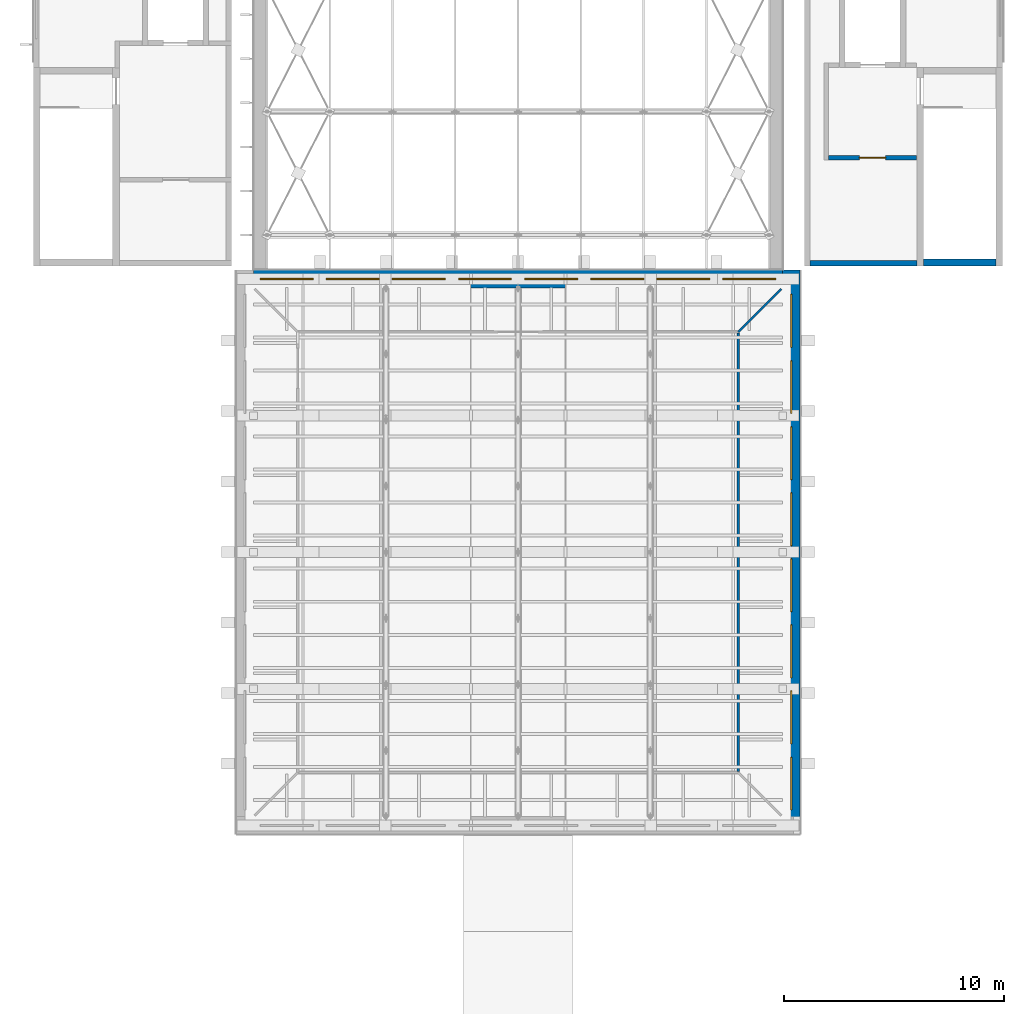
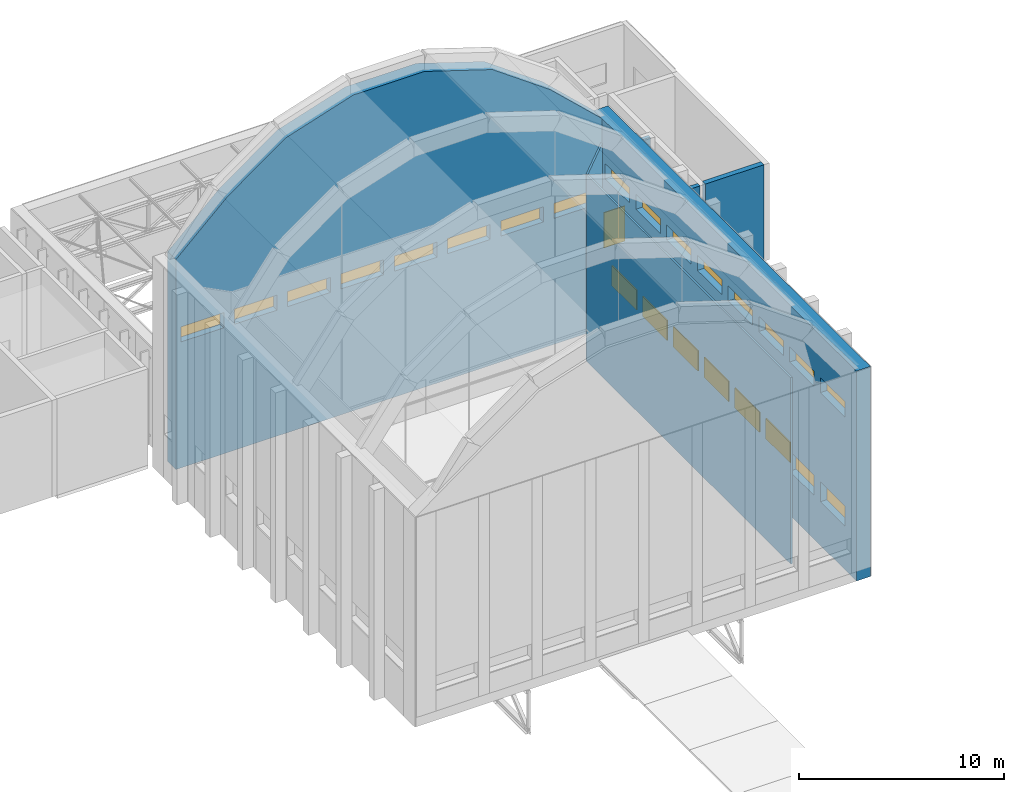
# One storey, part 46 of 55: 24 windows, 7 walls, 1 door, 25 openings.
"""IFC4 building model written with IfcOpenShell, lengths in metres."""

from ifc_helpers import new_model, si_unit, direction, frame, frame_2d, origin, place, context, subcontext, project, spatial, polyline, rectangle, outline, extrude, material, layer, layer_set, type_object, element, fill, save


model = new_model("IFC4")

# Units and contexts
model_context = context("Model", 3, precision=1e-05, world=origin(), true_north=direction((0.0, 1.0)))
body_context = subcontext(model_context, "Body", "Model", "MODEL_VIEW")
ifc_project = project(units=[si_unit("LENGTHUNIT", "METRE"), si_unit("AREAUNIT", "SQUARE_METRE"), si_unit("VOLUMEUNIT", "CUBIC_METRE"), si_unit("PLANEANGLEUNIT", "RADIAN"), si_unit("MASSUNIT", "GRAM", prefix="KILO")], contexts=[model_context])

# Site, building, storey
site_placement = place(None, origin())
site = spatial("IfcSite", under=ifc_project, at=site_placement, CompositionType="ELEMENT")
building_placement = place(site_placement, origin())
building = spatial("IfcBuilding", under=site, at=building_placement, Name="Lunette Opera House", CompositionType="ELEMENT")
storey_placement = place(building_placement, frame((0.0, 0.0, 34.0)))
storey = spatial("IfcBuildingStorey", under=building, at=storey_placement, Name="L06", CompositionType="ELEMENT", Elevation=34.0)

# Wall, opening, door
ifc_material_1 = material(Name="Concrete C35/45", Category="concrete")
ifc_layer_1 = layer(ifc_material_1, 0.199951171875)
ifc_layer_set_1 = layer_set([ifc_layer_1], Name="Concrete C35/45")
wall_type_1 = type_object("IfcWallType", Name="LOBBY WALL 200", PredefinedType="PARTITIONING", material=ifc_layer_set_1)
wall_1_placement = place(storey_placement, frame((110.10009765625, 125.89990234375, 0.0), z_axis=(0.0, 0.0, 1.0), x_axis=(1.0, 0.0, 0.0)))
wall_1 = element("IfcWall", 1, at=wall_1_placement, inside=storey, type_object=wall_type_1, Name="FL3 lobby wall 4a", PredefinedType="PARTITIONING", context=body_context, shape_type="SweptSolid", body=[
    extrude(rectangle(XDim=3.97998046875, YDim=0.199951171875, at=frame_2d((1.989990234375, 0.0))), origin(), (0.0, 0.0, 1.0), 5.75),
])
opening_1_placement = place(wall_1_placement, frame((1.389892578125, 0.0, 0.0)))
opening_1 = element("IfcOpeningElement", 2, at=opening_1_placement, cuts=wall_1, Name="Opening ST-D7031", PredefinedType="OPENING", context=body_context, shape_type="SweptSolid", body=[
    extrude(rectangle(XDim=1.199951171875, YDim=2.10009765625, at=frame_2d((0.60009765625, 1.050048828125))), frame((0.0, 0.112060546875, 0.0), z_axis=(0.0, -1.0, 0.0), x_axis=(1.0, 0.0, 0.0)), (0.0, 0.0, 1.0), 0.223876953125),
])
ifc_material_2 = material(Name="Steel", Category="steel")
door_type = type_object("IfcDoorType", Name="FIRE DOOR 1200 X 2100", OperationType="SINGLE_SWING_LEFT", PredefinedType="DOOR", material=ifc_material_2)
door_placement = place(opening_1_placement, origin())
door = element("IfcDoor", 3, at=door_placement, inside=storey, type_object=door_type, Name="FL3 lobby door", OperationType="SINGLE_SWING_LEFT", OverallHeight=2.10009765625, OverallWidth=1.199951171875, PredefinedType="DOOR", context=body_context, shape_type="SweptSolid", body=[
    extrude(rectangle(XDim=1.199951171875, YDim=2.10009765625, at=frame_2d((0.60009765625, 1.050048828125))), frame((0.0, 0.02490234375, 0.0), z_axis=(0.0, -1.0, 0.0), x_axis=(1.0, 0.0, 0.0)), (0.0, 0.0, 1.0), 0.050048828125),
])
fill(opening_1, door)

# Wall
ifc_material_3 = material(Name="Concrete C35/45", Category="concrete")
ifc_layer_2 = layer(ifc_material_3, 0.300048828125)
ifc_layer_set_2 = layer_set([ifc_layer_2], Name="Concrete C35/45")
wall_type_2 = type_object("IfcWallType", Name="RC STAIR ENCLOSURE WALL 300", PredefinedType="SOLIDWALL", material=ifc_layer_set_2)
wall_2_placement = place(storey_placement, frame((114.39990234375, 121.14990234375, 0.0), z_axis=(0.0, 0.0, 1.0), x_axis=(1.0, 0.0, 0.0)))
element("IfcWall", 4, at=wall_2_placement, inside=storey, type_object=wall_type_2, Name="ST12 enclosure wall 4", PredefinedType="SOLIDWALL", context=body_context, shape_type="SweptSolid", body=[
    extrude(rectangle(XDim=3.300048828125, YDim=0.300048828125, at=frame_2d((1.64990234375, 0.0))), origin(), (0.0, 0.0, 1.0), 5.75),
])

# Wall, openings, windows
ifc_material_4 = material(Name="Concrete C40/50", Category="concrete")
ifc_layer_3 = layer(ifc_material_4, 0.800048828125)
ifc_layer_set_3 = layer_set([ifc_layer_3], Name="Concrete C40/50")
wall_type_3 = type_object("IfcWallType", Name="RC WALL 800", PredefinedType="SHEAR", material=ifc_layer_set_3)
wall_3_placement = place(storey_placement, frame((108.39990234375, 95.199951171875, 0.0), z_axis=(0.0, 0.0, 1.0), x_axis=(0.0, 1.0, 0.0)))
wall_3 = element("IfcWall", 5, at=wall_3_placement, inside=storey, type_object=wall_type_3, Name="wall-ST-L06-WE-1", PredefinedType="SHEAR", context=body_context, shape_type="SweptSolid", body=[
    extrude(rectangle(XDim=25.60009765625, YDim=0.800048828125, at=frame_2d((12.800048828125, 0.0))), origin(), (0.0, 0.0, 1.0), 12.5),
])
opening_2_placement = place(wall_3_placement, frame((1.10009765625, 0.0, 2.60009765625)))
opening_2 = element("IfcOpeningElement", 6, at=opening_2_placement, cuts=wall_3, Name="Opening ST-N2049", PredefinedType="OPENING", context=body_context, shape_type="SweptSolid", body=[
    extrude(rectangle(XDim=2.39990234375, YDim=1.199951171875, at=frame_2d((1.199951171875, 0.60009765625))), frame((0.0, 0.412109375, 0.0), z_axis=(0.0, -1.0, 0.0), x_axis=(1.0, 0.0, 0.0)), (0.0, 0.0, 1.0), 0.823974609375),
])
opening_3_placement = place(wall_3_placement, frame((4.10009765625, 0.0, 2.60009765625)))
opening_3 = element("IfcOpeningElement", 7, at=opening_3_placement, cuts=wall_3, Name="Opening ST-N2050", PredefinedType="OPENING", context=body_context, shape_type="SweptSolid", body=[
    extrude(rectangle(XDim=2.39990234375, YDim=1.199951171875, at=frame_2d((1.199951171875, 0.60009765625))), frame((0.0, 0.412109375, 0.0), z_axis=(0.0, -1.0, 0.0), x_axis=(1.0, 0.0, 0.0)), (0.0, 0.0, 1.0), 0.823974609375),
])
opening_4_placement = place(wall_3_placement, frame((7.10009765625, 0.0, 2.60009765625)))
opening_4 = element("IfcOpeningElement", 8, at=opening_4_placement, cuts=wall_3, Name="Opening ST-N2051", PredefinedType="OPENING", context=body_context, shape_type="SweptSolid", body=[
    extrude(rectangle(XDim=2.39990234375, YDim=1.199951171875, at=frame_2d((1.199951171875, 0.60009765625))), frame((0.0, 0.412109375, 0.0), z_axis=(0.0, -1.0, 0.0), x_axis=(1.0, 0.0, 0.0)), (0.0, 0.0, 1.0), 0.823974609375),
])
opening_5_placement = place(wall_3_placement, frame((10.10009765625, 0.0, 2.60009765625)))
opening_5 = element("IfcOpeningElement", 9, at=opening_5_placement, cuts=wall_3, Name="Opening ST-N2052", PredefinedType="OPENING", context=body_context, shape_type="SweptSolid", body=[
    extrude(rectangle(XDim=2.39990234375, YDim=1.199951171875, at=frame_2d((1.199951171875, 0.60009765625))), frame((0.0, 0.412109375, 0.0), z_axis=(0.0, -1.0, 0.0), x_axis=(1.0, 0.0, 0.0)), (0.0, 0.0, 1.0), 0.823974609375),
])
opening_6_placement = place(wall_3_placement, frame((13.10009765625, 0.0, 2.60009765625)))
opening_6 = element("IfcOpeningElement", 10, at=opening_6_placement, cuts=wall_3, Name="Opening ST-N2053", PredefinedType="OPENING", context=body_context, shape_type="SweptSolid", body=[
    extrude(rectangle(XDim=2.39990234375, YDim=1.199951171875, at=frame_2d((1.199951171875, 0.60009765625))), frame((0.0, 0.412109375, 0.0), z_axis=(0.0, -1.0, 0.0), x_axis=(1.0, 0.0, 0.0)), (0.0, 0.0, 1.0), 0.823974609375),
])
opening_7_placement = place(wall_3_placement, frame((16.10009765625, 0.0, 2.60009765625)))
opening_7 = element("IfcOpeningElement", 11, at=opening_7_placement, cuts=wall_3, Name="Opening ST-N2054", PredefinedType="OPENING", context=body_context, shape_type="SweptSolid", body=[
    extrude(rectangle(XDim=2.39990234375, YDim=1.199951171875, at=frame_2d((1.199951171875, 0.60009765625))), frame((0.0, 0.412109375, 0.0), z_axis=(0.0, -1.0, 0.0), x_axis=(1.0, 0.0, 0.0)), (0.0, 0.0, 1.0), 0.823974609375),
])
opening_8_placement = place(wall_3_placement, frame((19.10009765625, 0.0, 2.60009765625)))
opening_8 = element("IfcOpeningElement", 12, at=opening_8_placement, cuts=wall_3, Name="Opening ST-N2055", PredefinedType="OPENING", context=body_context, shape_type="SweptSolid", body=[
    extrude(rectangle(XDim=2.39990234375, YDim=1.199951171875, at=frame_2d((1.199951171875, 0.60009765625))), frame((0.0, 0.412109375, 0.0), z_axis=(0.0, -1.0, 0.0), x_axis=(1.0, 0.0, 0.0)), (0.0, 0.0, 1.0), 0.823974609375),
])
opening_9_placement = place(wall_3_placement, frame((22.10009765625, 0.0, 2.60009765625)))
opening_9 = element("IfcOpeningElement", 13, at=opening_9_placement, cuts=wall_3, Name="Opening ST-N2056", PredefinedType="OPENING", context=body_context, shape_type="SweptSolid", body=[
    extrude(rectangle(XDim=2.39990234375, YDim=1.199951171875, at=frame_2d((1.199951171875, 0.60009765625))), frame((0.0, 0.412109375, 0.0), z_axis=(0.0, -1.0, 0.0), x_axis=(1.0, 0.0, 0.0)), (0.0, 0.0, 1.0), 0.823974609375),
])
opening_10_placement = place(wall_3_placement, frame((1.10009765625, 0.0, 9.10009765625)))
opening_10 = element("IfcOpeningElement", 14, at=opening_10_placement, cuts=wall_3, Name="Opening ST-N2057", PredefinedType="OPENING", context=body_context, shape_type="SweptSolid", body=[
    extrude(rectangle(XDim=2.39990234375, YDim=0.89990234375, at=frame_2d((1.199951171875, 0.449951171875))), frame((0.0, 0.412109375, 0.0), z_axis=(0.0, -1.0, 0.0), x_axis=(1.0, 0.0, 0.0)), (0.0, 0.0, 1.0), 0.823974609375),
])
opening_11_placement = place(wall_3_placement, frame((4.10009765625, 0.0, 9.10009765625)))
opening_11 = element("IfcOpeningElement", 15, at=opening_11_placement, cuts=wall_3, Name="Opening ST-N2058", PredefinedType="OPENING", context=body_context, shape_type="SweptSolid", body=[
    extrude(rectangle(XDim=2.39990234375, YDim=0.89990234375, at=frame_2d((1.199951171875, 0.449951171875))), frame((0.0, 0.412109375, 0.0), z_axis=(0.0, -1.0, 0.0), x_axis=(1.0, 0.0, 0.0)), (0.0, 0.0, 1.0), 0.823974609375),
])
opening_12_placement = place(wall_3_placement, frame((7.10009765625, 0.0, 9.10009765625)))
opening_12 = element("IfcOpeningElement", 16, at=opening_12_placement, cuts=wall_3, Name="Opening ST-N2059", PredefinedType="OPENING", context=body_context, shape_type="SweptSolid", body=[
    extrude(rectangle(XDim=2.39990234375, YDim=0.89990234375, at=frame_2d((1.199951171875, 0.449951171875))), frame((0.0, 0.412109375, 0.0), z_axis=(0.0, -1.0, 0.0), x_axis=(1.0, 0.0, 0.0)), (0.0, 0.0, 1.0), 0.823974609375),
])
opening_13_placement = place(wall_3_placement, frame((10.10009765625, 0.0, 9.10009765625)))
opening_13 = element("IfcOpeningElement", 17, at=opening_13_placement, cuts=wall_3, Name="Opening ST-N2060", PredefinedType="OPENING", context=body_context, shape_type="SweptSolid", body=[
    extrude(rectangle(XDim=2.39990234375, YDim=0.89990234375, at=frame_2d((1.199951171875, 0.449951171875))), frame((0.0, 0.412109375, 0.0), z_axis=(0.0, -1.0, 0.0), x_axis=(1.0, 0.0, 0.0)), (0.0, 0.0, 1.0), 0.823974609375),
])
opening_14_placement = place(wall_3_placement, frame((13.10009765625, 0.0, 9.10009765625)))
opening_14 = element("IfcOpeningElement", 18, at=opening_14_placement, cuts=wall_3, Name="Opening ST-N2061", PredefinedType="OPENING", context=body_context, shape_type="SweptSolid", body=[
    extrude(rectangle(XDim=2.39990234375, YDim=0.89990234375, at=frame_2d((1.199951171875, 0.449951171875))), frame((0.0, 0.412109375, 0.0), z_axis=(0.0, -1.0, 0.0), x_axis=(1.0, 0.0, 0.0)), (0.0, 0.0, 1.0), 0.823974609375),
])
opening_15_placement = place(wall_3_placement, frame((16.10009765625, 0.0, 9.10009765625)))
opening_15 = element("IfcOpeningElement", 19, at=opening_15_placement, cuts=wall_3, Name="Opening ST-N2062", PredefinedType="OPENING", context=body_context, shape_type="SweptSolid", body=[
    extrude(rectangle(XDim=2.39990234375, YDim=0.89990234375, at=frame_2d((1.199951171875, 0.449951171875))), frame((0.0, 0.412109375, 0.0), z_axis=(0.0, -1.0, 0.0), x_axis=(1.0, 0.0, 0.0)), (0.0, 0.0, 1.0), 0.823974609375),
])
opening_16_placement = place(wall_3_placement, frame((19.10009765625, 0.0, 9.10009765625)))
opening_16 = element("IfcOpeningElement", 20, at=opening_16_placement, cuts=wall_3, Name="Opening ST-N2063", PredefinedType="OPENING", context=body_context, shape_type="SweptSolid", body=[
    extrude(rectangle(XDim=2.39990234375, YDim=0.89990234375, at=frame_2d((1.199951171875, 0.449951171875))), frame((0.0, 0.412109375, 0.0), z_axis=(0.0, -1.0, 0.0), x_axis=(1.0, 0.0, 0.0)), (0.0, 0.0, 1.0), 0.823974609375),
])
opening_17_placement = place(wall_3_placement, frame((22.10009765625, 0.0, 9.10009765625)))
opening_17 = element("IfcOpeningElement", 21, at=opening_17_placement, cuts=wall_3, Name="Opening ST-N2064", PredefinedType="OPENING", context=body_context, shape_type="SweptSolid", body=[
    extrude(rectangle(XDim=2.39990234375, YDim=0.89990234375, at=frame_2d((1.199951171875, 0.449951171875))), frame((0.0, 0.412109375, 0.0), z_axis=(0.0, -1.0, 0.0), x_axis=(1.0, 0.0, 0.0)), (0.0, 0.0, 1.0), 0.823974609375),
])
ifc_material_5 = material(Name="Aluminium", Category="aluminium")
window_type_1 = type_object("IfcWindowType", Name="SMOKE VENT LOUVRE 2400 X 900", PartitioningType="SINGLE_PANEL", PredefinedType="WINDOW", material=ifc_material_5)
window_1_placement = place(opening_10_placement, origin())
window_1 = element("IfcWindow", 22, at=window_1_placement, inside=storey, type_object=window_type_1, Name="Smoke Vent Louvre 2400 X 900 TLE1 L06", OverallHeight=0.89990234375, OverallWidth=2.39990234375, PartitioningType="SINGLE_PANEL", PredefinedType="WINDOW", context=body_context, shape_type="SweptSolid", body=[
    extrude(rectangle(XDim=2.39990234375, YDim=0.89990234375, at=frame_2d((1.199951171875, 0.449951171875))), frame((0.0, 0.030029296875, 0.0), z_axis=(0.0, -1.0, 0.0), x_axis=(1.0, 0.0, 0.0)), (0.0, 0.0, 1.0), 0.06005859375),
])
fill(opening_10, window_1)
window_2_placement = place(opening_11_placement, origin())
window_2 = element("IfcWindow", 23, at=window_2_placement, inside=storey, type_object=window_type_1, Name="Smoke Vent Louvre 2400 X 900 TLE2 L06", OverallHeight=0.89990234375, OverallWidth=2.39990234375, PartitioningType="SINGLE_PANEL", PredefinedType="WINDOW", context=body_context, shape_type="SweptSolid", body=[
    extrude(rectangle(XDim=2.39990234375, YDim=0.89990234375, at=frame_2d((1.199951171875, 0.449951171875))), frame((0.0, 0.030029296875, 0.0), z_axis=(0.0, -1.0, 0.0), x_axis=(1.0, 0.0, 0.0)), (0.0, 0.0, 1.0), 0.06005859375),
])
fill(opening_11, window_2)
window_3_placement = place(opening_12_placement, origin())
window_3 = element("IfcWindow", 24, at=window_3_placement, inside=storey, type_object=window_type_1, Name="Smoke Vent Louvre 2400 X 900 TLE3 L06", OverallHeight=0.89990234375, OverallWidth=2.39990234375, PartitioningType="SINGLE_PANEL", PredefinedType="WINDOW", context=body_context, shape_type="SweptSolid", body=[
    extrude(rectangle(XDim=2.39990234375, YDim=0.89990234375, at=frame_2d((1.199951171875, 0.449951171875))), frame((0.0, 0.030029296875, 0.0), z_axis=(0.0, -1.0, 0.0), x_axis=(1.0, 0.0, 0.0)), (0.0, 0.0, 1.0), 0.06005859375),
])
fill(opening_12, window_3)
window_4_placement = place(opening_13_placement, origin())
window_4 = element("IfcWindow", 25, at=window_4_placement, inside=storey, type_object=window_type_1, Name="Smoke Vent Louvre 2400 X 900 TLE4 L06", OverallHeight=0.89990234375, OverallWidth=2.39990234375, PartitioningType="SINGLE_PANEL", PredefinedType="WINDOW", context=body_context, shape_type="SweptSolid", body=[
    extrude(rectangle(XDim=2.39990234375, YDim=0.89990234375, at=frame_2d((1.199951171875, 0.449951171875))), frame((0.0, 0.030029296875, 0.0), z_axis=(0.0, -1.0, 0.0), x_axis=(1.0, 0.0, 0.0)), (0.0, 0.0, 1.0), 0.06005859375),
])
fill(opening_13, window_4)
window_5_placement = place(opening_14_placement, origin())
window_5 = element("IfcWindow", 26, at=window_5_placement, inside=storey, type_object=window_type_1, Name="Smoke Vent Louvre 2400 X 900 TLE5 L06", OverallHeight=0.89990234375, OverallWidth=2.39990234375, PartitioningType="SINGLE_PANEL", PredefinedType="WINDOW", context=body_context, shape_type="SweptSolid", body=[
    extrude(rectangle(XDim=2.39990234375, YDim=0.89990234375, at=frame_2d((1.199951171875, 0.449951171875))), frame((0.0, 0.030029296875, 0.0), z_axis=(0.0, -1.0, 0.0), x_axis=(1.0, 0.0, 0.0)), (0.0, 0.0, 1.0), 0.06005859375),
])
fill(opening_14, window_5)
window_6_placement = place(opening_15_placement, origin())
window_6 = element("IfcWindow", 27, at=window_6_placement, inside=storey, type_object=window_type_1, Name="Smoke Vent Louvre 2400 X 900 TLE6 L06", OverallHeight=0.89990234375, OverallWidth=2.39990234375, PartitioningType="SINGLE_PANEL", PredefinedType="WINDOW", context=body_context, shape_type="SweptSolid", body=[
    extrude(rectangle(XDim=2.39990234375, YDim=0.89990234375, at=frame_2d((1.199951171875, 0.449951171875))), frame((0.0, 0.030029296875, 0.0), z_axis=(0.0, -1.0, 0.0), x_axis=(1.0, 0.0, 0.0)), (0.0, 0.0, 1.0), 0.06005859375),
])
fill(opening_15, window_6)
window_7_placement = place(opening_16_placement, origin())
window_7 = element("IfcWindow", 28, at=window_7_placement, inside=storey, type_object=window_type_1, Name="Smoke Vent Louvre 2400 X 900 TLE7 L06", OverallHeight=0.89990234375, OverallWidth=2.39990234375, PartitioningType="SINGLE_PANEL", PredefinedType="WINDOW", context=body_context, shape_type="SweptSolid", body=[
    extrude(rectangle(XDim=2.39990234375, YDim=0.89990234375, at=frame_2d((1.199951171875, 0.449951171875))), frame((0.0, 0.030029296875, 0.0), z_axis=(0.0, -1.0, 0.0), x_axis=(1.0, 0.0, 0.0)), (0.0, 0.0, 1.0), 0.06005859375),
])
fill(opening_16, window_7)
window_8_placement = place(opening_17_placement, origin())
window_8 = element("IfcWindow", 29, at=window_8_placement, inside=storey, type_object=window_type_1, Name="Smoke Vent Louvre 2400 X 900 TLE8 L06", OverallHeight=0.89990234375, OverallWidth=2.39990234375, PartitioningType="SINGLE_PANEL", PredefinedType="WINDOW", context=body_context, shape_type="SweptSolid", body=[
    extrude(rectangle(XDim=2.39990234375, YDim=0.89990234375, at=frame_2d((1.199951171875, 0.449951171875))), frame((0.0, 0.030029296875, 0.0), z_axis=(0.0, -1.0, 0.0), x_axis=(1.0, 0.0, 0.0)), (0.0, 0.0, 1.0), 0.06005859375),
])
fill(opening_17, window_8)
ifc_material_6 = material(Name="Aluminium", Category="aluminium")
window_type_2 = type_object("IfcWindowType", Name="TOWER RIBBON WINDOW 2400 X 1200", PartitioningType="SINGLE_PANEL", PredefinedType="WINDOW", material=ifc_material_6)
window_9_placement = place(opening_2_placement, origin())
window_9 = element("IfcWindow", 30, at=window_9_placement, inside=storey, type_object=window_type_2, Name="Tower Ribbon Window 2400 X 1200 TWE1 L06", OverallHeight=1.199951171875, OverallWidth=2.39990234375, PartitioningType="SINGLE_PANEL", PredefinedType="WINDOW", context=body_context, shape_type="SweptSolid", body=[
    extrude(rectangle(XDim=2.39990234375, YDim=1.199951171875, at=frame_2d((1.199951171875, 0.60009765625))), frame((0.0, 0.030029296875, 0.0), z_axis=(0.0, -1.0, 0.0), x_axis=(1.0, 0.0, 0.0)), (0.0, 0.0, 1.0), 0.06005859375),
])
fill(opening_2, window_9)
window_10_placement = place(opening_3_placement, origin())
window_10 = element("IfcWindow", 31, at=window_10_placement, inside=storey, type_object=window_type_2, Name="Tower Ribbon Window 2400 X 1200 TWE2 L06", OverallHeight=1.199951171875, OverallWidth=2.39990234375, PartitioningType="SINGLE_PANEL", PredefinedType="WINDOW", context=body_context, shape_type="SweptSolid", body=[
    extrude(rectangle(XDim=2.39990234375, YDim=1.199951171875, at=frame_2d((1.199951171875, 0.60009765625))), frame((0.0, 0.030029296875, 0.0), z_axis=(0.0, -1.0, 0.0), x_axis=(1.0, 0.0, 0.0)), (0.0, 0.0, 1.0), 0.06005859375),
])
fill(opening_3, window_10)
window_11_placement = place(opening_4_placement, origin())
window_11 = element("IfcWindow", 32, at=window_11_placement, inside=storey, type_object=window_type_2, Name="Tower Ribbon Window 2400 X 1200 TWE3 L06", OverallHeight=1.199951171875, OverallWidth=2.39990234375, PartitioningType="SINGLE_PANEL", PredefinedType="WINDOW", context=body_context, shape_type="SweptSolid", body=[
    extrude(rectangle(XDim=2.39990234375, YDim=1.199951171875, at=frame_2d((1.199951171875, 0.60009765625))), frame((0.0, 0.030029296875, 0.0), z_axis=(0.0, -1.0, 0.0), x_axis=(1.0, 0.0, 0.0)), (0.0, 0.0, 1.0), 0.06005859375),
])
fill(opening_4, window_11)
window_12_placement = place(opening_5_placement, origin())
window_12 = element("IfcWindow", 33, at=window_12_placement, inside=storey, type_object=window_type_2, Name="Tower Ribbon Window 2400 X 1200 TWE4 L06", OverallHeight=1.199951171875, OverallWidth=2.39990234375, PartitioningType="SINGLE_PANEL", PredefinedType="WINDOW", context=body_context, shape_type="SweptSolid", body=[
    extrude(rectangle(XDim=2.39990234375, YDim=1.199951171875, at=frame_2d((1.199951171875, 0.60009765625))), frame((0.0, 0.030029296875, 0.0), z_axis=(0.0, -1.0, 0.0), x_axis=(1.0, 0.0, 0.0)), (0.0, 0.0, 1.0), 0.06005859375),
])
fill(opening_5, window_12)
window_13_placement = place(opening_6_placement, origin())
window_13 = element("IfcWindow", 34, at=window_13_placement, inside=storey, type_object=window_type_2, Name="Tower Ribbon Window 2400 X 1200 TWE5 L06", OverallHeight=1.199951171875, OverallWidth=2.39990234375, PartitioningType="SINGLE_PANEL", PredefinedType="WINDOW", context=body_context, shape_type="SweptSolid", body=[
    extrude(rectangle(XDim=2.39990234375, YDim=1.199951171875, at=frame_2d((1.199951171875, 0.60009765625))), frame((0.0, 0.030029296875, 0.0), z_axis=(0.0, -1.0, 0.0), x_axis=(1.0, 0.0, 0.0)), (0.0, 0.0, 1.0), 0.06005859375),
])
fill(opening_6, window_13)
window_14_placement = place(opening_7_placement, origin())
window_14 = element("IfcWindow", 35, at=window_14_placement, inside=storey, type_object=window_type_2, Name="Tower Ribbon Window 2400 X 1200 TWE6 L06", OverallHeight=1.199951171875, OverallWidth=2.39990234375, PartitioningType="SINGLE_PANEL", PredefinedType="WINDOW", context=body_context, shape_type="SweptSolid", body=[
    extrude(rectangle(XDim=2.39990234375, YDim=1.199951171875, at=frame_2d((1.199951171875, 0.60009765625))), frame((0.0, 0.030029296875, 0.0), z_axis=(0.0, -1.0, 0.0), x_axis=(1.0, 0.0, 0.0)), (0.0, 0.0, 1.0), 0.06005859375),
])
fill(opening_7, window_14)
window_15_placement = place(opening_8_placement, origin())
window_15 = element("IfcWindow", 36, at=window_15_placement, inside=storey, type_object=window_type_2, Name="Tower Ribbon Window 2400 X 1200 TWE7 L06", OverallHeight=1.199951171875, OverallWidth=2.39990234375, PartitioningType="SINGLE_PANEL", PredefinedType="WINDOW", context=body_context, shape_type="SweptSolid", body=[
    extrude(rectangle(XDim=2.39990234375, YDim=1.199951171875, at=frame_2d((1.199951171875, 0.60009765625))), frame((0.0, 0.030029296875, 0.0), z_axis=(0.0, -1.0, 0.0), x_axis=(1.0, 0.0, 0.0)), (0.0, 0.0, 1.0), 0.06005859375),
])
fill(opening_8, window_15)
window_16_placement = place(opening_9_placement, origin())
window_16 = element("IfcWindow", 37, at=window_16_placement, inside=storey, type_object=window_type_2, Name="Tower Ribbon Window 2400 X 1200 TWE8 L06", OverallHeight=1.199951171875, OverallWidth=2.39990234375, PartitioningType="SINGLE_PANEL", PredefinedType="WINDOW", context=body_context, shape_type="SweptSolid", body=[
    extrude(rectangle(XDim=2.39990234375, YDim=1.199951171875, at=frame_2d((1.199951171875, 0.60009765625))), frame((0.0, 0.030029296875, 0.0), z_axis=(0.0, -1.0, 0.0), x_axis=(1.0, 0.0, 0.0)), (0.0, 0.0, 1.0), 0.06005859375),
])
fill(opening_9, window_16)

wall_4_placement = place(storey_placement, frame((84.0, 120.39990234375, 0.0), z_axis=(0.0, 0.0, 1.0), x_axis=(1.0, 0.0, 0.0)))
wall_4 = element("IfcWall", 38, at=wall_4_placement, inside=storey, type_object=wall_type_3, Name="wall-ST-L06-WN-1", PredefinedType="SHEAR", context=body_context, shape_type="SweptSolid", body=[
    extrude(outline(polyline([(0.0, 0.0), (24.0, 0.0), (24.0, 12.5), (21.0869140625, 15.239013671875), (20.0, 16.01806640625), (17.825927734375, 17.576904296875), (14.006103515625, 18.802978515625), (9.993896484375, 18.802978515625), (6.174072265625, 17.576904296875), (4.0, 16.01806640625), (2.9130859375, 15.239013671875), (0.0, 12.5), (0.0, 0.0)])), frame((0.0, 0.39990234375, 0.0), z_axis=(0.0, -1.0, 0.0), x_axis=(1.0, 0.0, 0.0)), (0.0, 0.0, 1.0), 0.800048828125),
])
opening_18_placement = place(wall_4_placement, frame((0.300048828125, 0.0, 7.5)))
opening_18 = element("IfcOpeningElement", 39, at=opening_18_placement, cuts=wall_4, Name="Opening ST-N2065", PredefinedType="OPENING", context=body_context, shape_type="SweptSolid", body=[
    extrude(rectangle(XDim=2.39990234375, YDim=0.89990234375, at=frame_2d((1.199951171875, 0.449951171875))), frame((0.0, 0.412109375, 0.0), z_axis=(0.0, -1.0, 0.0), x_axis=(1.0, 0.0, 0.0)), (0.0, 0.0, 1.0), 0.823974609375),
])
opening_19_placement = place(wall_4_placement, frame((3.300048828125, 0.0, 7.5)))
opening_19 = element("IfcOpeningElement", 40, at=opening_19_placement, cuts=wall_4, Name="Opening ST-N2066", PredefinedType="OPENING", context=body_context, shape_type="SweptSolid", body=[
    extrude(rectangle(XDim=2.39990234375, YDim=0.89990234375, at=frame_2d((1.199951171875, 0.449951171875))), frame((0.0, 0.412109375, 0.0), z_axis=(0.0, -1.0, 0.0), x_axis=(1.0, 0.0, 0.0)), (0.0, 0.0, 1.0), 0.823974609375),
])
opening_20_placement = place(wall_4_placement, frame((6.300048828125, 0.0, 7.5)))
opening_20 = element("IfcOpeningElement", 41, at=opening_20_placement, cuts=wall_4, Name="Opening ST-N2067", PredefinedType="OPENING", context=body_context, shape_type="SweptSolid", body=[
    extrude(rectangle(XDim=2.39990234375, YDim=0.89990234375, at=frame_2d((1.199951171875, 0.449951171875))), frame((0.0, 0.412109375, 0.0), z_axis=(0.0, -1.0, 0.0), x_axis=(1.0, 0.0, 0.0)), (0.0, 0.0, 1.0), 0.823974609375),
])
opening_21_placement = place(wall_4_placement, frame((9.300048828125, 0.0, 7.5)))
opening_21 = element("IfcOpeningElement", 42, at=opening_21_placement, cuts=wall_4, Name="Opening ST-N2068", PredefinedType="OPENING", context=body_context, shape_type="SweptSolid", body=[
    extrude(rectangle(XDim=2.39990234375, YDim=0.89990234375, at=frame_2d((1.199951171875, 0.449951171875))), frame((0.0, 0.412109375, 0.0), z_axis=(0.0, -1.0, 0.0), x_axis=(1.0, 0.0, 0.0)), (0.0, 0.0, 1.0), 0.823974609375),
])
opening_22_placement = place(wall_4_placement, frame((12.300048828125, 0.0, 7.5)))
opening_22 = element("IfcOpeningElement", 43, at=opening_22_placement, cuts=wall_4, Name="Opening ST-N2069", PredefinedType="OPENING", context=body_context, shape_type="SweptSolid", body=[
    extrude(rectangle(XDim=2.39990234375, YDim=0.89990234375, at=frame_2d((1.199951171875, 0.449951171875))), frame((0.0, 0.412109375, 0.0), z_axis=(0.0, -1.0, 0.0), x_axis=(1.0, 0.0, 0.0)), (0.0, 0.0, 1.0), 0.823974609375),
])
opening_23_placement = place(wall_4_placement, frame((15.300048828125, 0.0, 7.5)))
opening_23 = element("IfcOpeningElement", 44, at=opening_23_placement, cuts=wall_4, Name="Opening ST-N2070", PredefinedType="OPENING", context=body_context, shape_type="SweptSolid", body=[
    extrude(rectangle(XDim=2.39990234375, YDim=0.89990234375, at=frame_2d((1.199951171875, 0.449951171875))), frame((0.0, 0.412109375, 0.0), z_axis=(0.0, -1.0, 0.0), x_axis=(1.0, 0.0, 0.0)), (0.0, 0.0, 1.0), 0.823974609375),
])
opening_24_placement = place(wall_4_placement, frame((18.300048828125, 0.0, 7.5)))
opening_24 = element("IfcOpeningElement", 45, at=opening_24_placement, cuts=wall_4, Name="Opening ST-N2071", PredefinedType="OPENING", context=body_context, shape_type="SweptSolid", body=[
    extrude(rectangle(XDim=2.39990234375, YDim=0.89990234375, at=frame_2d((1.199951171875, 0.449951171875))), frame((0.0, 0.412109375, 0.0), z_axis=(0.0, -1.0, 0.0), x_axis=(1.0, 0.0, 0.0)), (0.0, 0.0, 1.0), 0.823974609375),
])
opening_25_placement = place(wall_4_placement, frame((21.300048828125, 0.0, 7.5)))
opening_25 = element("IfcOpeningElement", 46, at=opening_25_placement, cuts=wall_4, Name="Opening ST-N2072", PredefinedType="OPENING", context=body_context, shape_type="SweptSolid", body=[
    extrude(rectangle(XDim=2.39990234375, YDim=0.89990234375, at=frame_2d((1.199951171875, 0.449951171875))), frame((0.0, 0.412109375, 0.0), z_axis=(0.0, -1.0, 0.0), x_axis=(1.0, 0.0, 0.0)), (0.0, 0.0, 1.0), 0.823974609375),
])
window_17_placement = place(opening_18_placement, origin())
window_17 = element("IfcWindow", 47, at=window_17_placement, inside=storey, type_object=window_type_1, Name="Smoke Vent Louvre 2400 X 900 TN1 L06", OverallHeight=0.89990234375, OverallWidth=2.39990234375, PartitioningType="SINGLE_PANEL", PredefinedType="WINDOW", context=body_context, shape_type="SweptSolid", body=[
    extrude(rectangle(XDim=2.39990234375, YDim=0.89990234375, at=frame_2d((1.199951171875, 0.449951171875))), frame((0.0, 0.030029296875, 0.0), z_axis=(0.0, -1.0, 0.0), x_axis=(1.0, 0.0, 0.0)), (0.0, 0.0, 1.0), 0.06005859375),
])
fill(opening_18, window_17)
window_18_placement = place(opening_19_placement, origin())
window_18 = element("IfcWindow", 48, at=window_18_placement, inside=storey, type_object=window_type_1, Name="Smoke Vent Louvre 2400 X 900 TN2 L06", OverallHeight=0.89990234375, OverallWidth=2.39990234375, PartitioningType="SINGLE_PANEL", PredefinedType="WINDOW", context=body_context, shape_type="SweptSolid", body=[
    extrude(rectangle(XDim=2.39990234375, YDim=0.89990234375, at=frame_2d((1.199951171875, 0.449951171875))), frame((0.0, 0.030029296875, 0.0), z_axis=(0.0, -1.0, 0.0), x_axis=(1.0, 0.0, 0.0)), (0.0, 0.0, 1.0), 0.06005859375),
])
fill(opening_19, window_18)
window_19_placement = place(opening_20_placement, origin())
window_19 = element("IfcWindow", 49, at=window_19_placement, inside=storey, type_object=window_type_1, Name="Smoke Vent Louvre 2400 X 900 TN3 L06", OverallHeight=0.89990234375, OverallWidth=2.39990234375, PartitioningType="SINGLE_PANEL", PredefinedType="WINDOW", context=body_context, shape_type="SweptSolid", body=[
    extrude(rectangle(XDim=2.39990234375, YDim=0.89990234375, at=frame_2d((1.199951171875, 0.449951171875))), frame((0.0, 0.030029296875, 0.0), z_axis=(0.0, -1.0, 0.0), x_axis=(1.0, 0.0, 0.0)), (0.0, 0.0, 1.0), 0.06005859375),
])
fill(opening_20, window_19)
window_20_placement = place(opening_21_placement, origin())
window_20 = element("IfcWindow", 50, at=window_20_placement, inside=storey, type_object=window_type_1, Name="Smoke Vent Louvre 2400 X 900 TN4 L06", OverallHeight=0.89990234375, OverallWidth=2.39990234375, PartitioningType="SINGLE_PANEL", PredefinedType="WINDOW", context=body_context, shape_type="SweptSolid", body=[
    extrude(rectangle(XDim=2.39990234375, YDim=0.89990234375, at=frame_2d((1.199951171875, 0.449951171875))), frame((0.0, 0.030029296875, 0.0), z_axis=(0.0, -1.0, 0.0), x_axis=(1.0, 0.0, 0.0)), (0.0, 0.0, 1.0), 0.06005859375),
])
fill(opening_21, window_20)
window_21_placement = place(opening_22_placement, origin())
window_21 = element("IfcWindow", 51, at=window_21_placement, inside=storey, type_object=window_type_1, Name="Smoke Vent Louvre 2400 X 900 TN5 L06", OverallHeight=0.89990234375, OverallWidth=2.39990234375, PartitioningType="SINGLE_PANEL", PredefinedType="WINDOW", context=body_context, shape_type="SweptSolid", body=[
    extrude(rectangle(XDim=2.39990234375, YDim=0.89990234375, at=frame_2d((1.199951171875, 0.449951171875))), frame((0.0, 0.030029296875, 0.0), z_axis=(0.0, -1.0, 0.0), x_axis=(1.0, 0.0, 0.0)), (0.0, 0.0, 1.0), 0.06005859375),
])
fill(opening_22, window_21)
window_22_placement = place(opening_23_placement, origin())
window_22 = element("IfcWindow", 52, at=window_22_placement, inside=storey, type_object=window_type_1, Name="Smoke Vent Louvre 2400 X 900 TN6 L06", OverallHeight=0.89990234375, OverallWidth=2.39990234375, PartitioningType="SINGLE_PANEL", PredefinedType="WINDOW", context=body_context, shape_type="SweptSolid", body=[
    extrude(rectangle(XDim=2.39990234375, YDim=0.89990234375, at=frame_2d((1.199951171875, 0.449951171875))), frame((0.0, 0.030029296875, 0.0), z_axis=(0.0, -1.0, 0.0), x_axis=(1.0, 0.0, 0.0)), (0.0, 0.0, 1.0), 0.06005859375),
])
fill(opening_23, window_22)
window_23_placement = place(opening_24_placement, origin())
window_23 = element("IfcWindow", 53, at=window_23_placement, inside=storey, type_object=window_type_1, Name="Smoke Vent Louvre 2400 X 900 TN7 L06", OverallHeight=0.89990234375, OverallWidth=2.39990234375, PartitioningType="SINGLE_PANEL", PredefinedType="WINDOW", context=body_context, shape_type="SweptSolid", body=[
    extrude(rectangle(XDim=2.39990234375, YDim=0.89990234375, at=frame_2d((1.199951171875, 0.449951171875))), frame((0.0, 0.030029296875, 0.0), z_axis=(0.0, -1.0, 0.0), x_axis=(1.0, 0.0, 0.0)), (0.0, 0.0, 1.0), 0.06005859375),
])
fill(opening_24, window_23)
window_24_placement = place(opening_25_placement, origin())
window_24 = element("IfcWindow", 54, at=window_24_placement, inside=storey, type_object=window_type_1, Name="Smoke Vent Louvre 2400 X 900 TN8 L06", OverallHeight=0.89990234375, OverallWidth=2.39990234375, PartitioningType="SINGLE_PANEL", PredefinedType="WINDOW", context=body_context, shape_type="SweptSolid", body=[
    extrude(rectangle(XDim=2.39990234375, YDim=0.89990234375, at=frame_2d((1.199951171875, 0.449951171875))), frame((0.0, 0.030029296875, 0.0), z_axis=(0.0, -1.0, 0.0), x_axis=(1.0, 0.0, 0.0)), (0.0, 0.0, 1.0), 0.06005859375),
])
fill(opening_25, window_24)

# Walls
ifc_material_7 = material(Name="Insulated aluminium sandwich panel", Category="aluminium")
ifc_layer_4 = layer(ifc_material_7, 0.25)
ifc_layer_set_4 = layer_set([ifc_layer_4], Name="Insulated aluminium sandwich panel")
wall_type_4 = type_object("IfcWallType", Name="STAGE TOWER WALL 250", PredefinedType="SOLIDWALL", material=ifc_layer_set_4)
wall_5_placement = place(storey_placement, frame((109.25, 121.125, 0.0), z_axis=(0.0, 0.0, 1.0), x_axis=(1.0, 0.0, 0.0)))
element("IfcWall", 55, at=wall_5_placement, inside=storey, type_object=wall_type_4, Name="Stage Tower Wall 250 TE-060 L06", PredefinedType="SOLIDWALL", context=body_context, shape_type="SweptSolid", body=[
    extrude(rectangle(XDim=4.85205078125, YDim=0.25, at=frame_2d((2.426025390625, 0.0))), origin(), (0.0, 0.0, 1.0), 5.75),
])
ifc_material_8 = material(Name="Gypsum board on steel studs", Category="steel")
ifc_layer_5 = layer(ifc_material_8, 0.10009765625)
ifc_layer_set_5 = layer_set([ifc_layer_5], Name="Gypsum board on steel studs")
wall_type_5 = type_object("IfcWallType", Name="STUD PARTITION 100", PredefinedType="PARTITIONING", material=ifc_layer_set_5)
wall_6_placement = place(storey_placement, frame((106.0, 117.949951171875, 0.0), z_axis=(0.0, 0.0, 1.0), x_axis=(0.0, -1.0, 0.0)))
element("IfcWall", 56, at=wall_6_placement, inside=storey, type_object=wall_type_5, Name="Partition Fly Gallery 34 East", PredefinedType="PARTITIONING", context=body_context, shape_type="SweptSolid", body=[
    extrude(rectangle(XDim=19.89990234375, YDim=0.10009765625, at=frame_2d((9.949951171875, 0.0))), origin(), (0.0, 0.0, 1.0), 11.10009765625),
])
wall_7_placement = place(storey_placement, frame((106.0009765625, 118.0009765625, 0.0), z_axis=(0.0, 0.0, 1.0), x_axis=(0.707106781187, 0.707106781187, 0.0)))
element("IfcWall", 57, at=wall_7_placement, inside=storey, type_object=wall_type_5, Name="Partition Fly Gallery 34 North", PredefinedType="PARTITIONING", context=body_context, shape_type="SweptSolid", body=[
    extrude(rectangle(XDim=2.75634765625, YDim=0.10009765625, at=frame_2d((1.378173828125, 0.0))), origin(), (0.0, 0.0, 1.0), 11.10009765625),
])

save(model, "model.ifc")
